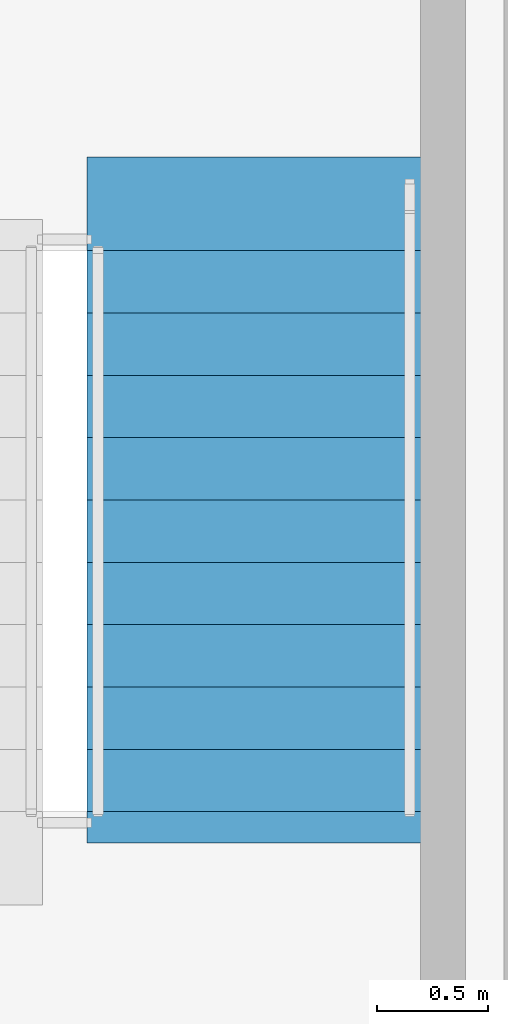
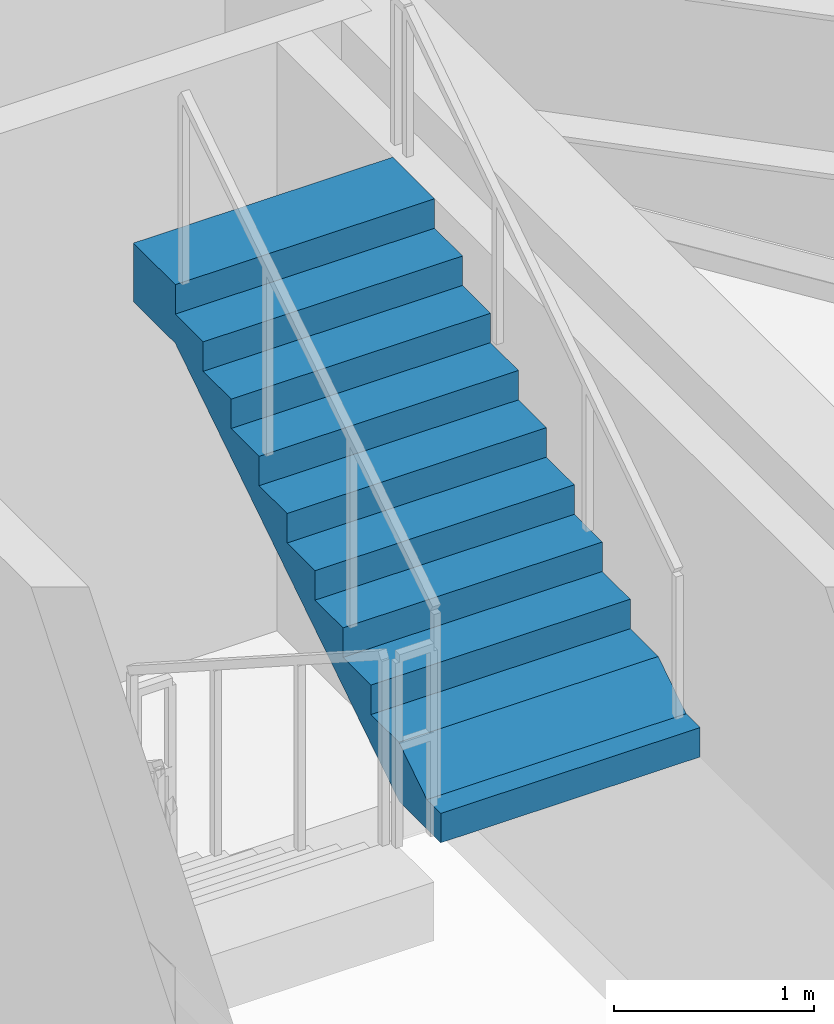
# One storey, part 10 of 12: 1 stair flight, 1 element without a shape of its own.
"""IFC4 building model written with IfcOpenShell, lengths in metres."""

from ifc_helpers import new_model, si_unit, direction, frame, origin, place, context, subcontext, project, spatial, polyline, outline, extrude, material, layer, layer_set, type_object, element, aggregate, save


model = new_model("IFC4")

# Units and contexts
model_context = context("Model", 3, precision=1e-05, world=origin(), true_north=direction((0.0, 1.0)))
body_context = subcontext(model_context, "Body", "Model", "MODEL_VIEW")
ifc_project = project(units=[si_unit("LENGTHUNIT", "METRE"), si_unit("AREAUNIT", "SQUARE_METRE"), si_unit("VOLUMEUNIT", "CUBIC_METRE"), si_unit("PLANEANGLEUNIT", "RADIAN"), si_unit("MASSUNIT", "GRAM", prefix="KILO")], contexts=[model_context])

# Site, building, storey
site_placement = place(None, origin())
site = spatial("IfcSite", under=ifc_project, at=site_placement, CompositionType="ELEMENT")
building_placement = place(site_placement, origin())
building = spatial("IfcBuilding", under=site, at=building_placement, Name="Talgorran Terracotta Tower", CompositionType="ELEMENT")
storey_placement = place(building_placement, frame((0.0, 0.0, 252.60009765625)))
storey = spatial("IfcBuildingStorey", under=building, at=storey_placement, Name="L66", CompositionType="ELEMENT", Elevation=252.60009765625)

# Stair, stair flight
ifc_material = material(Name="Concrete C40/50", Category="concrete")
stair_type = type_object("IfcStairType", Name="ST_FIRE_SCISSOR", PredefinedType="HALF_TURN_STAIR", material=ifc_material)
stair_placement = place(storey_placement, origin())
stair = element("IfcStair", 1, at=stair_placement, inside=storey, type_object=stair_type, Name="L66 East Protected Fire Stair ST-02", PredefinedType="HALF_TURN_STAIR")
ifc_layer = layer(ifc_material, 0.179931640625, Name="STF_RC_1500")
ifc_layer_set = layer_set([ifc_layer], Name="Concrete C40/50")
stair_flight_type = type_object("IfcStairFlightType", Name="STF_RC_1500", PredefinedType="STRAIGHT", material=ifc_layer_set)
stair_flight_placement = place(storey_placement, frame((11.050048828125, -9.719970703125, 1.7998046875), z_axis=(0.0, 0.0, 1.0), x_axis=(0.0, 1.0, 0.0)))
stair_flight = element("IfcStairFlight", 2, at=stair_flight_placement, type_object=stair_flight_type, Name="ST-02 flight 2", NumberOfRisers=10, NumberOfTreads=9, PredefinedType="STRAIGHT", RiserHeight=0.18, TreadLength=0.28, context=body_context, shape_type="SweptSolid", body=[
    extrude(outline(polyline([(-0.139892578125, 0.0), (-0.139892578125, 0.179931640625), (0.0, 0.179931640625), (0.280029296875, 0.360107421875), (0.56005859375, 0.360107421875), (0.56005859375, 0.5400390625), (0.840087890625, 0.5400390625), (0.840087890625, 0.719970703125), (1.1201171875, 0.719970703125), (1.1201171875, 0.89990234375), (1.39990234375, 0.89990234375), (1.39990234375, 1.080078125), (1.679931640625, 1.080078125), (1.679931640625, 1.260009765625), (1.9599609375, 1.260009765625), (1.9599609375, 1.43994140625), (2.239990234375, 1.43994140625), (2.239990234375, 1.6201171875), (2.52001953125, 1.6201171875), (2.52001953125, 1.800048828125), (2.93994140625, 1.800048828125), (2.93994140625, 1.44189453125), (2.52001953125, 1.44189453125), (0.277099609375, 0.0), (-0.139892578125, 0.0)])), frame((0.0, 0.75, 0.0), z_axis=(0.0, -1.0, 0.0), x_axis=(1.0, 0.0, 0.0)), (0.0, 0.0, 1.0), 1.5),
])
aggregate(stair, [stair_flight])

save(model, "model.ifc")
